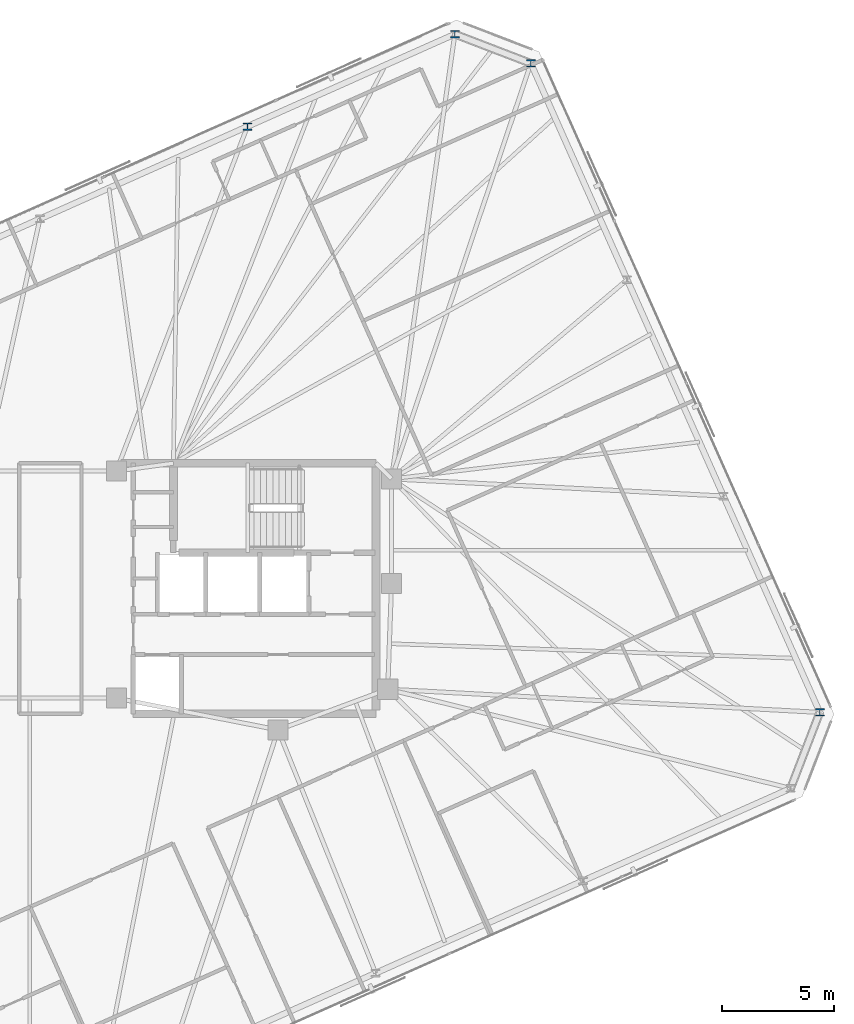
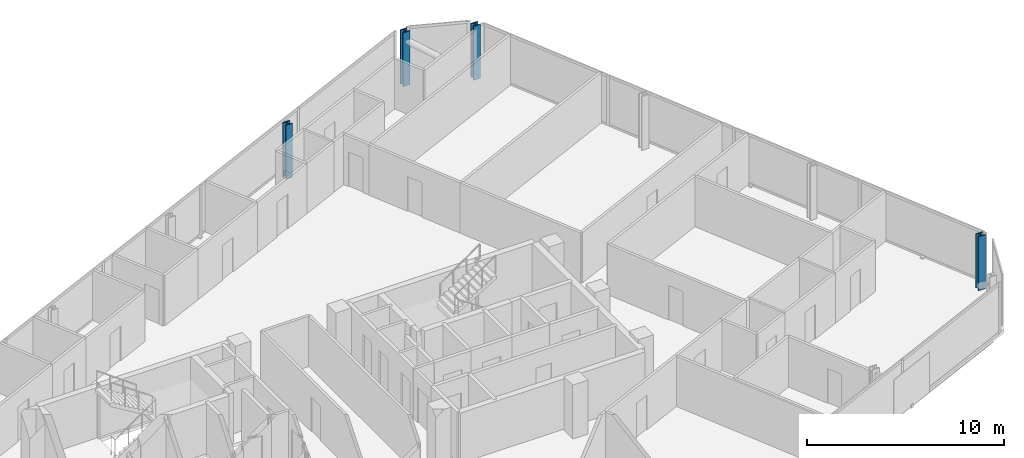
# One storey, part 4 of 18: 4 columns.
"""IFC4 building model written with IfcOpenShell, lengths in metres."""

import ifcopenshell
import ifcopenshell.guid

model = None  # the IFC model being written
_history = None  # IfcOwnerHistory: only IFC2X3 demands one
_inside = {}  # id of a spatial element -> (the spatial element, [elements in it])
_under = {}  # id of a project, library or spatial element -> (it, [spatial elements below it])
_declared = {}  # id of a project -> (the project, [libraries it declares])
_typed = {}  # id of a type object -> (the type object, [elements of that type])
_made_of = {}  # id of a material, layer set ... -> (it, [elements and type objects made of it])


def new_model(schema):
    """Start an empty IFC model of exactly this schema.

    Asked for "IFC4X3", IfcOpenShell would pick the latest addendum, in which some entities
    have other attributes; the version numbers below select the first issue.
    IFC2X3 requires an IfcOwnerHistory on every rooted entity: one is made here for all.
    """
    global model, _history
    if schema == "IFC4X3":
        model = ifcopenshell.file(schema_version=(4, 3, 0, 0))
    else:
        model = ifcopenshell.file(schema=schema)
    _inside.clear()
    _under.clear()
    _declared.clear()
    _typed.clear()
    _made_of.clear()
    _history = None
    if model.schema == "IFC2X3":
        org = make("IfcOrganization", Name="unknown")
        user = make(
            "IfcPersonAndOrganization",
            ThePerson=make("IfcPerson", FamilyName="unknown"),
            TheOrganization=org,
        )
        app = make(
            "IfcApplication",
            ApplicationDeveloper=org,
            Version="unknown",
            ApplicationFullName="unknown",
            ApplicationIdentifier="unknown",
        )
        _history = make(
            "IfcOwnerHistory",
            OwningUser=user,
            OwningApplication=app,
            ChangeAction="ADDED",
            CreationDate=0,
        )
    return model


def make(cls, **values):
    """One entity of the class cls with the attributes given. An attribute that is None is left unset."""
    return model.create_entity(
        cls, **{name: value for name, value in values.items() if value is not None}
    )


def rooted(cls, **values):
    """An entity with a GlobalId (a new one), such as an element, a storey or a relation."""
    return make(cls, GlobalId=ifcopenshell.guid.new(), OwnerHistory=_history, **values)


def si_unit(unit_type, name, prefix=None):
    """IfcSIUnit, for example si_unit("LENGTHUNIT", "METRE", prefix="MILLI")."""
    return make("IfcSIUnit", UnitType=unit_type, Prefix=prefix, Name=name)


def assignment(units):
    """IfcUnitAssignment: the units of a project."""
    return None if units is None else make("IfcUnitAssignment", Units=units)


def point(xyz):
    """IfcCartesianPoint."""
    return None if xyz is None else make("IfcCartesianPoint", Coordinates=xyz)


def direction(xyz):
    """IfcDirection."""
    return None if xyz is None else make("IfcDirection", DirectionRatios=xyz)


def frame(location, z_axis=None, x_axis=None):
    """IfcAxis2Placement3D, a coordinate frame: its origin and axes. An axis left out is left unset."""
    return make(
        "IfcAxis2Placement3D",
        Location=point(location),
        Axis=direction(z_axis),
        RefDirection=direction(x_axis),
    )


def frame_2d(location, x_axis=None):
    """IfcAxis2Placement2D, a coordinate frame in the plane: its origin and x axis."""
    return make(
        "IfcAxis2Placement2D", Location=point(location), RefDirection=direction(x_axis)
    )


def origin():
    """The frame at (0, 0, 0) with its axes left unset."""
    return frame((0.0, 0.0, 0.0))


def origin_2d():
    """The frame at (0, 0) in the plane with its x axis left unset."""
    return frame_2d((0.0, 0.0))


def place(relative_to, where):
    """IfcLocalPlacement: puts the frame where relative to a parent placement (None: the world)."""
    return make(
        "IfcLocalPlacement", PlacementRelTo=relative_to, RelativePlacement=where
    )


def context(
    kind, dimensions, precision=None, world=None, true_north=None, identifier=None
):
    """IfcGeometricRepresentationContext, for example the 3D "Model" context."""
    return make(
        "IfcGeometricRepresentationContext",
        ContextIdentifier=identifier,
        ContextType=kind,
        CoordinateSpaceDimension=dimensions,
        Precision=precision,
        WorldCoordinateSystem=world,
        TrueNorth=true_north,
    )


def subcontext(parent, identifier, kind, view, scale=None):
    """IfcGeometricRepresentationSubContext, for example "Body" below "Model"."""
    return make(
        "IfcGeometricRepresentationSubContext",
        ContextIdentifier=identifier,
        ContextType=kind,
        ParentContext=parent,
        TargetScale=scale,
        TargetView=view,
    )


def project(units=None, contexts=None):
    """IfcProject with its units and contexts."""
    return rooted(
        "IfcProject",
        Name="project",
        RepresentationContexts=contexts,
        UnitsInContext=assignment(units),
    )


def spatial(cls, under=None, at=None, **own):
    """A site, building, storey or space (cls), placed at a placement, below another one or the project."""
    s = rooted(cls, ObjectPlacement=at, **own)
    if under is not None:
        _under.setdefault(under.id(), (under, []))[1].append(s)
    return s


def profile(cls, at=None, kind="AREA", **sizes):
    """A parametric profile (cls). Its sizes go by their IFC names, for example OverallWidth=200.0."""
    return make(cls, ProfileType=kind, Position=at, **sizes)


def i_section(**sizes):
    """IfcIShapeProfileDef."""
    return profile("IfcIShapeProfileDef", **sizes)


def extrude(swept, where, along, depth):
    """IfcExtrudedAreaSolid: the profile swept, set in the frame where, extruded along a direction by depth."""
    return make(
        "IfcExtrudedAreaSolid",
        SweptArea=swept,
        Position=where,
        ExtrudedDirection=direction(along),
        Depth=depth,
    )


def shape(context_of_items, identifier, shape_type, items):
    """IfcShapeRepresentation: the items that make up one representation, for example the "Body"."""
    return make(
        "IfcShapeRepresentation",
        ContextOfItems=context_of_items,
        RepresentationIdentifier=identifier,
        RepresentationType=shape_type,
        Items=items,
    )


def material(Name=None, Category=None):
    """IfcMaterial."""
    return make("IfcMaterial", Name=Name, Category=Category)


def material_profile(
    of_material, cross_section, Name=None, Category=None, Priority=None
):
    """IfcMaterialProfile: a cross section and its material."""
    return make(
        "IfcMaterialProfile",
        Name=Name,
        Material=of_material,
        Profile=cross_section,
        Priority=Priority,
        Category=Category,
    )


def profile_set(profiles, Name=None, composite=None):
    """IfcMaterialProfileSet."""
    return make(
        "IfcMaterialProfileSet",
        Name=Name,
        MaterialProfiles=profiles,
        CompositeProfile=composite,
    )


def made_of(thing, what):
    """Note that an element or type object is made of a material, layer set ...; save() writes the relation."""
    if what is not None:
        _made_of.setdefault(what.id(), (what, []))[1].append(thing)
    return thing


def type_object(cls, material=None, **own):
    """A type object (cls), such as IfcWallType, which elements share."""
    return made_of(rooted(cls, **own), material)


def element(
    cls,
    number,
    at=None,
    inside=None,
    cuts=None,
    type_object=None,
    material=None,
    context=None,
    identifier="Body",
    shape_type=None,
    held_by="IfcProductDefinitionShape",
    body=None,
    shapes=None,
    **own,
):
    """One element of the class cls, such as IfcWall. Its Tag is "e" and its number.

    at: its placement. inside: the storey or other place that contains it. cuts: it is an
    opening in that element (IfcRelVoidsElement). A single representation is given by context,
    identifier, shape_type and body (its items); several are given by shapes. held_by: the class
    of the entity that holds the representations. save() writes the other relations.
    """
    e = rooted(cls, Tag="e%d" % number, ObjectPlacement=at, **own)
    if body is not None:
        shapes = [shape(context, identifier, shape_type, body)]
    if shapes is not None:
        e.Representation = make(held_by, Representations=shapes)
    if inside is not None:
        _inside.setdefault(inside.id(), (inside, []))[1].append(e)
    if cuts is not None:
        rooted(
            "IfcRelVoidsElement", RelatingBuildingElement=cuts, RelatedOpeningElement=e
        )
    if type_object is not None:
        _typed.setdefault(type_object.id(), (type_object, []))[1].append(e)
    return made_of(e, material)


def aggregate(whole, parts):
    """IfcRelAggregates: a whole, such as a stair, and the parts it consists of."""
    return rooted("IfcRelAggregates", RelatingObject=whole, RelatedObjects=parts)


def save(model, path):
    """Write the relations noted so far, then the file.

    IfcRelAggregates (storeys below a building ...), IfcRelContainedInSpatialStructure (elements
    in a storey), IfcRelDefinesByType, IfcRelAssociatesMaterial and IfcRelDeclares: one each for
    every whole, place, type object, material and project.
    """
    for whole, parts in _under.values():
        aggregate(whole, parts)
    for where, things in _inside.values():
        rooted(
            "IfcRelContainedInSpatialStructure",
            RelatedElements=things,
            RelatingStructure=where,
        )
    for kind, things in _typed.values():
        rooted("IfcRelDefinesByType", RelatedObjects=things, RelatingType=kind)
    for what, things in _made_of.values():
        rooted("IfcRelAssociatesMaterial", RelatedObjects=things, RelatingMaterial=what)
    for by, libraries in _declared.values():
        rooted("IfcRelDeclares", RelatingContext=by, RelatedDefinitions=libraries)
    model.write(path)


model = new_model("IFC4")

# Units and contexts
model_context = context("Model", 3, precision=1e-05, world=origin(), true_north=direction((0.0, 1.0)))
body_context = subcontext(model_context, "Body", "Model", "MODEL_VIEW")
ifc_project = project(units=[si_unit("LENGTHUNIT", "METRE"), si_unit("AREAUNIT", "SQUARE_METRE"), si_unit("VOLUMEUNIT", "CUBIC_METRE"), si_unit("PLANEANGLEUNIT", "RADIAN"), si_unit("MASSUNIT", "GRAM", prefix="KILO")], contexts=[model_context])

# Site, building, storey
site_placement = place(None, origin())
site = spatial("IfcSite", under=ifc_project, at=site_placement, CompositionType="ELEMENT")
building_placement = place(site_placement, origin())
building = spatial("IfcBuilding", under=site, at=building_placement, Name="Menara Jurai Vektor", CompositionType="ELEMENT")
storey_placement = place(building_placement, frame((0.0, 0.0, 298.64990234375)))
storey = spatial("IfcBuildingStorey", under=building, at=storey_placement, Name="L80", CompositionType="ELEMENT", Elevation=298.64990234375)

# Columns
ifc_material = material(Name="Steel S460", Category="steel")
ifc_material_profile = material_profile(ifc_material, i_section(OverallWidth=0.40087890625, OverallDepth=0.3349609375, WebThickness=0.035888671875, FlangeThickness=0.05810546875, FilletRadius=0.014892578125, at=origin_2d()), Name="HD 400x463")
ifc_profile_set = profile_set([ifc_material_profile], Name="Steel S460")
column_type = type_object("IfcColumnType", Name="STR-EXO-BLK5", PredefinedType="COLUMN", material=ifc_profile_set)
for number, where, z_axis, x_axis, name in (
    (1, (34.3916015625, -5.536865234375, 0.0), (0.0, 0.0, 1.0), (1.0, 0.0, 0.0), "Exoskeleton Column BLK5-E1 L80"),
    (2, (21.4755859375, 23.473388671875, 0.0), (0.0, 0.0, 1.0), (1.0, 0.0, 0.0), "Exoskeleton Column BLK5-E4 L80"),
    (3, (18.07958984375, 24.777099609375, 0.0), (0.0, 0.0, 1.0), (1.0, 0.0, 0.0), "Exoskeleton Column BLK5-N1 L80"),
    (4, (8.805908203125, 20.648193359375, 0.0), (0.0, 0.0, 1.0), (1.0, 0.0, 0.0), "Exoskeleton Column BLK5-N2 L80"),
):
    element("IfcColumn", number, at=place(storey_placement, frame(where, z_axis=z_axis, x_axis=x_axis)), inside=storey, type_object=column_type, Name=name, PredefinedType="COLUMN", context=body_context, shape_type="SweptSolid", body=[
        extrude(i_section(OverallWidth=0.40087890625, OverallDepth=0.3349609375, WebThickness=0.035888671875, FlangeThickness=0.05810546875, FilletRadius=0.014892578125, at=origin_2d()), origin(), (0.0, 0.0, 1.0), 3.35009765625),
    ])

save(model, "model.ifc")
